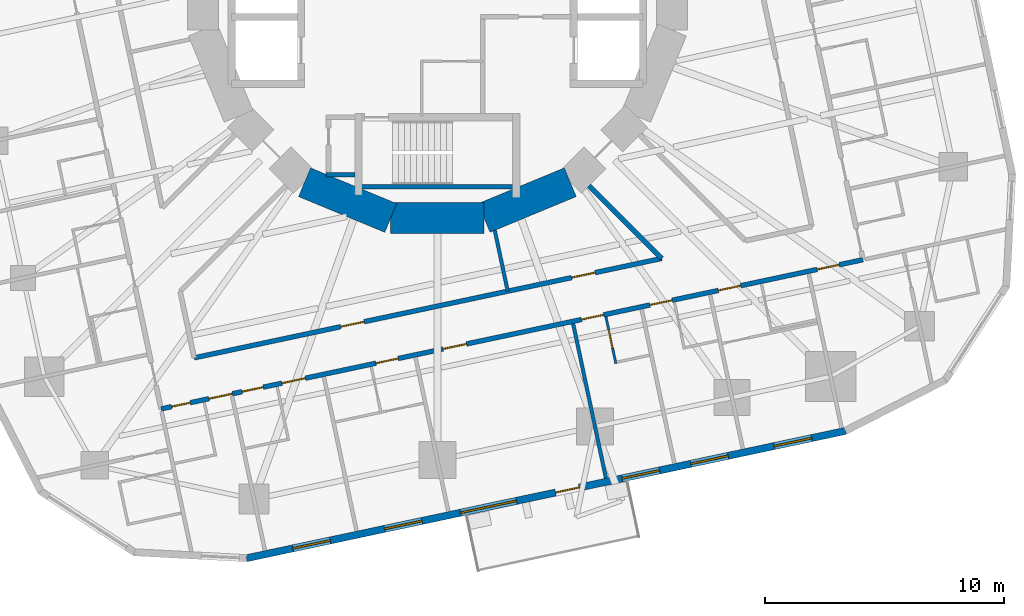
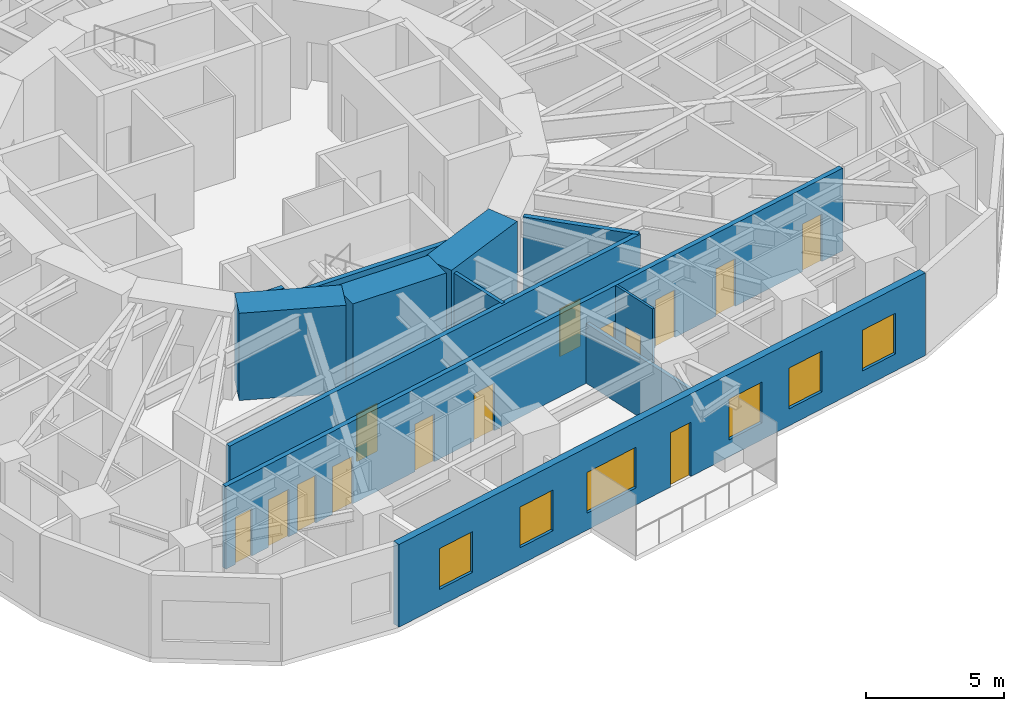
# One storey, part 5 of 14: 14 doors, 12 walls, 6 windows, 20 openings.
"""IFC4 building model written with IfcOpenShell, lengths in metres."""

import ifcopenshell
import ifcopenshell.guid

model = None  # the IFC model being written
_history = None  # IfcOwnerHistory: only IFC2X3 demands one
_inside = {}  # id of a spatial element -> (the spatial element, [elements in it])
_under = {}  # id of a project, library or spatial element -> (it, [spatial elements below it])
_declared = {}  # id of a project -> (the project, [libraries it declares])
_typed = {}  # id of a type object -> (the type object, [elements of that type])
_made_of = {}  # id of a material, layer set ... -> (it, [elements and type objects made of it])


def new_model(schema):
    """Start an empty IFC model of exactly this schema.

    Asked for "IFC4X3", IfcOpenShell would pick the latest addendum, in which some entities
    have other attributes; the version numbers below select the first issue.
    IFC2X3 requires an IfcOwnerHistory on every rooted entity: one is made here for all.
    """
    global model, _history
    if schema == "IFC4X3":
        model = ifcopenshell.file(schema_version=(4, 3, 0, 0))
    else:
        model = ifcopenshell.file(schema=schema)
    _inside.clear()
    _under.clear()
    _declared.clear()
    _typed.clear()
    _made_of.clear()
    _history = None
    if model.schema == "IFC2X3":
        org = make("IfcOrganization", Name="unknown")
        user = make(
            "IfcPersonAndOrganization",
            ThePerson=make("IfcPerson", FamilyName="unknown"),
            TheOrganization=org,
        )
        app = make(
            "IfcApplication",
            ApplicationDeveloper=org,
            Version="unknown",
            ApplicationFullName="unknown",
            ApplicationIdentifier="unknown",
        )
        _history = make(
            "IfcOwnerHistory",
            OwningUser=user,
            OwningApplication=app,
            ChangeAction="ADDED",
            CreationDate=0,
        )
    return model


def make(cls, **values):
    """One entity of the class cls with the attributes given. An attribute that is None is left unset."""
    return model.create_entity(
        cls, **{name: value for name, value in values.items() if value is not None}
    )


def rooted(cls, **values):
    """An entity with a GlobalId (a new one), such as an element, a storey or a relation."""
    return make(cls, GlobalId=ifcopenshell.guid.new(), OwnerHistory=_history, **values)


def si_unit(unit_type, name, prefix=None):
    """IfcSIUnit, for example si_unit("LENGTHUNIT", "METRE", prefix="MILLI")."""
    return make("IfcSIUnit", UnitType=unit_type, Prefix=prefix, Name=name)


def assignment(units):
    """IfcUnitAssignment: the units of a project."""
    return None if units is None else make("IfcUnitAssignment", Units=units)


def point(xyz):
    """IfcCartesianPoint."""
    return None if xyz is None else make("IfcCartesianPoint", Coordinates=xyz)


def direction(xyz):
    """IfcDirection."""
    return None if xyz is None else make("IfcDirection", DirectionRatios=xyz)


def frame(location, z_axis=None, x_axis=None):
    """IfcAxis2Placement3D, a coordinate frame: its origin and axes. An axis left out is left unset."""
    return make(
        "IfcAxis2Placement3D",
        Location=point(location),
        Axis=direction(z_axis),
        RefDirection=direction(x_axis),
    )


def frame_2d(location, x_axis=None):
    """IfcAxis2Placement2D, a coordinate frame in the plane: its origin and x axis."""
    return make(
        "IfcAxis2Placement2D", Location=point(location), RefDirection=direction(x_axis)
    )


def origin():
    """The frame at (0, 0, 0) with its axes left unset."""
    return frame((0.0, 0.0, 0.0))


def place(relative_to, where):
    """IfcLocalPlacement: puts the frame where relative to a parent placement (None: the world)."""
    return make(
        "IfcLocalPlacement", PlacementRelTo=relative_to, RelativePlacement=where
    )


def context(
    kind, dimensions, precision=None, world=None, true_north=None, identifier=None
):
    """IfcGeometricRepresentationContext, for example the 3D "Model" context."""
    return make(
        "IfcGeometricRepresentationContext",
        ContextIdentifier=identifier,
        ContextType=kind,
        CoordinateSpaceDimension=dimensions,
        Precision=precision,
        WorldCoordinateSystem=world,
        TrueNorth=true_north,
    )


def subcontext(parent, identifier, kind, view, scale=None):
    """IfcGeometricRepresentationSubContext, for example "Body" below "Model"."""
    return make(
        "IfcGeometricRepresentationSubContext",
        ContextIdentifier=identifier,
        ContextType=kind,
        ParentContext=parent,
        TargetScale=scale,
        TargetView=view,
    )


def project(units=None, contexts=None):
    """IfcProject with its units and contexts."""
    return rooted(
        "IfcProject",
        Name="project",
        RepresentationContexts=contexts,
        UnitsInContext=assignment(units),
    )


def spatial(cls, under=None, at=None, **own):
    """A site, building, storey or space (cls), placed at a placement, below another one or the project."""
    s = rooted(cls, ObjectPlacement=at, **own)
    if under is not None:
        _under.setdefault(under.id(), (under, []))[1].append(s)
    return s


def profile(cls, at=None, kind="AREA", **sizes):
    """A parametric profile (cls). Its sizes go by their IFC names, for example OverallWidth=200.0."""
    return make(cls, ProfileType=kind, Position=at, **sizes)


def rectangle(**sizes):
    """IfcRectangleProfileDef."""
    return profile("IfcRectangleProfileDef", **sizes)


def extrude(swept, where, along, depth):
    """IfcExtrudedAreaSolid: the profile swept, set in the frame where, extruded along a direction by depth."""
    return make(
        "IfcExtrudedAreaSolid",
        SweptArea=swept,
        Position=where,
        ExtrudedDirection=direction(along),
        Depth=depth,
    )


def shape(context_of_items, identifier, shape_type, items):
    """IfcShapeRepresentation: the items that make up one representation, for example the "Body"."""
    return make(
        "IfcShapeRepresentation",
        ContextOfItems=context_of_items,
        RepresentationIdentifier=identifier,
        RepresentationType=shape_type,
        Items=items,
    )


def material(Name=None, Category=None):
    """IfcMaterial."""
    return make("IfcMaterial", Name=Name, Category=Category)


def layer(
    of_material, thickness, ventilated=None, Name=None, Category=None, Priority=None
):
    """IfcMaterialLayer: one layer of a wall or slab, of a material (None: an air gap)."""
    return make(
        "IfcMaterialLayer",
        Material=of_material,
        LayerThickness=thickness,
        IsVentilated=ventilated,
        Name=Name,
        Category=Category,
        Priority=Priority,
    )


def layer_set(layers, Name=None):
    """IfcMaterialLayerSet."""
    return make("IfcMaterialLayerSet", MaterialLayers=layers, LayerSetName=Name)


def made_of(thing, what):
    """Note that an element or type object is made of a material, layer set ...; save() writes the relation."""
    if what is not None:
        _made_of.setdefault(what.id(), (what, []))[1].append(thing)
    return thing


def type_object(cls, material=None, **own):
    """A type object (cls), such as IfcWallType, which elements share."""
    return made_of(rooted(cls, **own), material)


def element(
    cls,
    number,
    at=None,
    inside=None,
    cuts=None,
    type_object=None,
    material=None,
    context=None,
    identifier="Body",
    shape_type=None,
    held_by="IfcProductDefinitionShape",
    body=None,
    shapes=None,
    **own,
):
    """One element of the class cls, such as IfcWall. Its Tag is "e" and its number.

    at: its placement. inside: the storey or other place that contains it. cuts: it is an
    opening in that element (IfcRelVoidsElement). A single representation is given by context,
    identifier, shape_type and body (its items); several are given by shapes. held_by: the class
    of the entity that holds the representations. save() writes the other relations.
    """
    e = rooted(cls, Tag="e%d" % number, ObjectPlacement=at, **own)
    if body is not None:
        shapes = [shape(context, identifier, shape_type, body)]
    if shapes is not None:
        e.Representation = make(held_by, Representations=shapes)
    if inside is not None:
        _inside.setdefault(inside.id(), (inside, []))[1].append(e)
    if cuts is not None:
        rooted(
            "IfcRelVoidsElement", RelatingBuildingElement=cuts, RelatedOpeningElement=e
        )
    if type_object is not None:
        _typed.setdefault(type_object.id(), (type_object, []))[1].append(e)
    return made_of(e, material)


def fill(opening, filler):
    """IfcRelFillsElement: the door or window that sits in an opening."""
    return rooted(
        "IfcRelFillsElement",
        RelatingOpeningElement=opening,
        RelatedBuildingElement=filler,
    )


def aggregate(whole, parts):
    """IfcRelAggregates: a whole, such as a stair, and the parts it consists of."""
    return rooted("IfcRelAggregates", RelatingObject=whole, RelatedObjects=parts)


def save(model, path):
    """Write the relations noted so far, then the file.

    IfcRelAggregates (storeys below a building ...), IfcRelContainedInSpatialStructure (elements
    in a storey), IfcRelDefinesByType, IfcRelAssociatesMaterial and IfcRelDeclares: one each for
    every whole, place, type object, material and project.
    """
    for whole, parts in _under.values():
        aggregate(whole, parts)
    for where, things in _inside.values():
        rooted(
            "IfcRelContainedInSpatialStructure",
            RelatedElements=things,
            RelatingStructure=where,
        )
    for kind, things in _typed.values():
        rooted("IfcRelDefinesByType", RelatedObjects=things, RelatingType=kind)
    for what, things in _made_of.values():
        rooted("IfcRelAssociatesMaterial", RelatedObjects=things, RelatingMaterial=what)
    for by, libraries in _declared.values():
        rooted("IfcRelDeclares", RelatingContext=by, RelatedDefinitions=libraries)
    model.write(path)


model = new_model("IFC4")

# Units and contexts
model_context = context("Model", 3, precision=1e-05, world=origin(), true_north=direction((0.0, 1.0)))
body_context = subcontext(model_context, "Body", "Model", "MODEL_VIEW")
ifc_project = project(units=[si_unit("LENGTHUNIT", "METRE"), si_unit("AREAUNIT", "SQUARE_METRE"), si_unit("VOLUMEUNIT", "CUBIC_METRE"), si_unit("PLANEANGLEUNIT", "RADIAN"), si_unit("MASSUNIT", "GRAM", prefix="KILO")], contexts=[model_context])

# Site, building, storey
site_placement = place(None, origin())
site = spatial("IfcSite", under=ifc_project, at=site_placement, CompositionType="ELEMENT")
building_placement = place(site_placement, origin())
building = spatial("IfcBuilding", under=site, at=building_placement, Name="Nakasero Lantern House", CompositionType="ELEMENT")
storey_placement = place(building_placement, frame((0.0, 0.0, 124.25)))
storey = spatial("IfcBuildingStorey", under=building, at=storey_placement, Name="L30", CompositionType="ELEMENT", Elevation=124.25)

# Walls
ifc_material_1 = material(Name="Concrete C50/60", Category="concrete")
ifc_layer_1 = layer(ifc_material_1, 1.300048828125)
ifc_layer_set_1 = layer_set([ifc_layer_1], Name="Core wall 1300")
wall_type_1 = type_object("IfcWallType", Name="Core wall 1300", PredefinedType="SHEAR", material=ifc_layer_set_1)
for number, where, z_axis, x_axis, name in (
    (1, (-5.5556640625, -8.314697265625, 0.0), (0.0, 0.0, 1.0), (0.923876507187, -0.382690736062, 0.0), "Core wall L30 facet 11"),
    (2, (-1.950927734375, -9.807861328125, 0.0), (0.0, 0.0, 1.0), (1.0, 0.0, 0.0), "Core wall L30 facet 12"),
    (3, (1.950927734375, -9.807861328125, 0.0), (0.0, 0.0, 1.0), (0.923876507187, 0.382690736062, 0.0), "Core wall L30 facet 13"),
):
    element("IfcWall", number, at=place(storey_placement, frame(where, z_axis=z_axis, x_axis=x_axis)), inside=storey, type_object=wall_type_1, Name=name, PredefinedType="SHEAR", context=body_context, shape_type="SweptSolid", body=[
        extrude(rectangle(XDim=3.90185546875, YDim=1.300048828125, at=frame_2d((1.950927734375, 0.0))), origin(), (0.0, 0.0, 1.0), 3.85009765625),
    ])

# Wall, openings, doors
ifc_material_2 = material(Name="Blockwork", Category="masonry")
ifc_layer_2 = layer(ifc_material_2, 0.199951171875)
ifc_layer_set_2 = layer_set([ifc_layer_2], Name="Corridor wall 200")
wall_type_2 = type_object("IfcWallType", Name="Corridor wall 200", PredefinedType="PARTITIONING", material=ifc_layer_set_2)
wall_1_placement = place(storey_placement, frame((-11.553466796875, -17.790771484375, 0.0), z_axis=(0.0, 0.0, 1.0), x_axis=(0.978147639417, 0.207911508826, 0.0)))
wall_1 = element("IfcWall", 4, at=wall_1_placement, inside=storey, type_object=wall_type_2, Name="Corridor wall L30 CW3", PredefinedType="PARTITIONING", context=body_context, shape_type="SweptSolid", body=[
    extrude(rectangle(XDim=29.999755859375, YDim=0.199951171875, at=frame_2d((15.0, 0.0))), origin(), (0.0, 0.0, 1.0), 3.64990234375),
])
opening_1_placement = place(wall_1_placement, frame((0.449951171875, 0.0, 0.0)))
opening_1 = element("IfcOpeningElement", 5, at=opening_1_placement, cuts=wall_1, Name="Opening D15", PredefinedType="OPENING", context=body_context, shape_type="SweptSolid", body=[
    extrude(rectangle(XDim=0.800048828125, YDim=2.10009765625, at=frame_2d((0.39990234375, 1.050048828125))), frame((0.0, 0.119873046875, 0.0), z_axis=(0.0, -1.0, 0.0), x_axis=(1.0, 0.0, 0.0)), (0.0, 0.0, 1.0), 0.239990234375),
])
opening_2_placement = place(wall_1_placement, frame((2.050048828125, 0.0, 0.0)))
opening_2 = element("IfcOpeningElement", 6, at=opening_2_placement, cuts=wall_1, Name="Opening D07", PredefinedType="OPENING", context=body_context, shape_type="SweptSolid", body=[
    extrude(rectangle(XDim=1.0, YDim=2.10009765625, at=frame_2d((0.5, 1.050048828125))), frame((0.0, 0.119873046875, 0.0), z_axis=(0.0, -1.0, 0.0), x_axis=(1.0, 0.0, 0.0)), (0.0, 0.0, 1.0), 0.239990234375),
])
opening_3_placement = place(wall_1_placement, frame((3.466064453125, 0.0, 0.0)))
opening_3 = element("IfcOpeningElement", 7, at=opening_3_placement, cuts=wall_1, Name="Opening D16", PredefinedType="OPENING", context=body_context, shape_type="SweptSolid", body=[
    extrude(rectangle(XDim=0.89990234375, YDim=2.10009765625, at=frame_2d((0.449951171875, 1.050048828125))), frame((0.0, 0.119873046875, 0.0), z_axis=(0.0, -1.0, 0.0), x_axis=(1.0, 0.0, 0.0)), (0.0, 0.0, 1.0), 0.239990234375),
])
opening_4_placement = place(wall_1_placement, frame((5.166015625, 0.0, 0.0)))
opening_4 = element("IfcOpeningElement", 8, at=opening_4_placement, cuts=wall_1, Name="Opening D07", PredefinedType="OPENING", context=body_context, shape_type="SweptSolid", body=[
    extrude(rectangle(XDim=1.0, YDim=2.10009765625, at=frame_2d((0.5, 1.050048828125))), frame((0.0, 0.119873046875, 0.0), z_axis=(0.0, -1.0, 0.0), x_axis=(1.0, 0.0, 0.0)), (0.0, 0.0, 1.0), 0.239990234375),
])
opening_5_placement = place(wall_1_placement, frame((9.185546875, 0.0, 0.0)))
opening_5 = element("IfcOpeningElement", 9, at=opening_5_placement, cuts=wall_1, Name="Opening D01", PredefinedType="OPENING", context=body_context, shape_type="SweptSolid", body=[
    extrude(rectangle(XDim=0.949951171875, YDim=2.10009765625, at=frame_2d((0.47509765625, 1.050048828125))), frame((0.0, 0.119873046875, 0.0), z_axis=(0.0, -1.0, 0.0), x_axis=(1.0, 0.0, 0.0)), (0.0, 0.0, 1.0), 0.239990234375),
])
opening_6_placement = place(wall_1_placement, frame((17.967529296875, 0.0, 0.0)))
opening_6 = element("IfcOpeningElement", 10, at=opening_6_placement, cuts=wall_1, Name="Opening D01", PredefinedType="OPENING", context=body_context, shape_type="SweptSolid", body=[
    extrude(rectangle(XDim=0.949951171875, YDim=2.10009765625, at=frame_2d((0.47509765625, 1.050048828125))), frame((0.0, 0.119873046875, 0.0), z_axis=(0.0, -1.0, 0.0), x_axis=(1.0, 0.0, 0.0)), (0.0, 0.0, 1.0), 0.239990234375),
])
opening_7_placement = place(wall_1_placement, frame((20.89404296875, 0.0, 0.0)))
opening_7 = element("IfcOpeningElement", 11, at=opening_7_placement, cuts=wall_1, Name="Opening D01", PredefinedType="OPENING", context=body_context, shape_type="SweptSolid", body=[
    extrude(rectangle(XDim=0.949951171875, YDim=2.10009765625, at=frame_2d((0.47509765625, 1.050048828125))), frame((0.0, 0.119873046875, 0.0), z_axis=(0.0, -1.0, 0.0), x_axis=(1.0, 0.0, 0.0)), (0.0, 0.0, 1.0), 0.239990234375),
])
opening_8_placement = place(wall_1_placement, frame((23.8203125, 0.0, 0.0)))
opening_8 = element("IfcOpeningElement", 12, at=opening_8_placement, cuts=wall_1, Name="Opening D01", PredefinedType="OPENING", context=body_context, shape_type="SweptSolid", body=[
    extrude(rectangle(XDim=0.949951171875, YDim=2.10009765625, at=frame_2d((0.47509765625, 1.050048828125))), frame((0.0, 0.119873046875, 0.0), z_axis=(0.0, -1.0, 0.0), x_axis=(1.0, 0.0, 0.0)), (0.0, 0.0, 1.0), 0.239990234375),
])
opening_9_placement = place(wall_1_placement, frame((28.038330078125, 0.0, 0.0)))
opening_9 = element("IfcOpeningElement", 13, at=opening_9_placement, cuts=wall_1, Name="Opening D01", PredefinedType="OPENING", context=body_context, shape_type="SweptSolid", body=[
    extrude(rectangle(XDim=0.949951171875, YDim=2.10009765625, at=frame_2d((0.47509765625, 1.050048828125))), frame((0.0, 0.119873046875, 0.0), z_axis=(0.0, -1.0, 0.0), x_axis=(1.0, 0.0, 0.0)), (0.0, 0.0, 1.0), 0.239990234375),
])
opening_10_placement = place(wall_1_placement, frame((12.05517578125, 0.0, 0.0)))
opening_10 = element("IfcOpeningElement", 14, at=opening_10_placement, cuts=wall_1, Name="Opening D03", PredefinedType="OPENING", context=body_context, shape_type="SweptSolid", body=[
    extrude(rectangle(XDim=1.0, YDim=2.10009765625, at=frame_2d((0.5, 1.050048828125))), frame((0.0, 0.119873046875, 0.0), z_axis=(0.0, -1.0, 0.0), x_axis=(1.0, 0.0, 0.0)), (0.0, 0.0, 1.0), 0.239990234375),
])
ifc_material_3 = material(Name="Timber C24", Category="wood")
door_type_1 = type_object("IfcDoorType", Name="Accessible WC door 900", OperationType="SINGLE_SWING_RIGHT", PredefinedType="DOOR", material=ifc_material_3)
door_1_placement = place(opening_3_placement, origin())
door_1 = element("IfcDoor", 15, at=door_1_placement, inside=storey, type_object=door_type_1, Name="Door L30 DS3-01", OperationType="SINGLE_SWING_LEFT", OverallHeight=2.10009765625, OverallWidth=0.89990234375, PredefinedType="DOOR", context=body_context, shape_type="SweptSolid", body=[
    extrude(rectangle(XDim=0.89990234375, YDim=2.10009765625, at=frame_2d((0.449951171875, 1.050048828125))), frame((0.0, 0.02490234375, 0.0), z_axis=(0.0, -1.0, 0.0), x_axis=(1.0, 0.0, 0.0)), (0.0, 0.0, 1.0), 0.050048828125),
])
fill(opening_3, door_1)
ifc_material_4 = material(Name="Timber C24", Category="wood")
door_type_2 = type_object("IfcDoorType", Name="Bedroom door FD30S 950", OperationType="SINGLE_SWING_LEFT", PredefinedType="DOOR", material=ifc_material_4)
door_2_placement = place(opening_5_placement, origin())
door_2 = element("IfcDoor", 16, at=door_2_placement, inside=storey, type_object=door_type_2, Name="Door L30 D3-02", OperationType="SINGLE_SWING_LEFT", OverallHeight=2.10009765625, OverallWidth=0.949951171875, PredefinedType="DOOR", context=body_context, shape_type="SweptSolid", body=[
    extrude(rectangle(XDim=0.949951171875, YDim=2.10009765625, at=frame_2d((0.47509765625, 1.050048828125))), frame((0.0, 0.02490234375, 0.0), z_axis=(0.0, -1.0, 0.0), x_axis=(1.0, 0.0, 0.0)), (0.0, 0.0, 1.0), 0.050048828125),
])
fill(opening_5, door_2)
door_3_placement = place(opening_6_placement, origin())
door_3 = element("IfcDoor", 17, at=door_3_placement, inside=storey, type_object=door_type_2, Name="Door L30 D3-05", OperationType="SINGLE_SWING_RIGHT", OverallHeight=2.10009765625, OverallWidth=0.949951171875, PredefinedType="DOOR", context=body_context, shape_type="SweptSolid", body=[
    extrude(rectangle(XDim=0.949951171875, YDim=2.10009765625, at=frame_2d((0.47509765625, 1.050048828125))), frame((0.0, 0.02490234375, 0.0), z_axis=(0.0, -1.0, 0.0), x_axis=(1.0, 0.0, 0.0)), (0.0, 0.0, 1.0), 0.050048828125),
])
fill(opening_6, door_3)
door_4_placement = place(opening_7_placement, origin())
door_4 = element("IfcDoor", 18, at=door_4_placement, inside=storey, type_object=door_type_2, Name="Door L30 D3-06", OperationType="SINGLE_SWING_RIGHT", OverallHeight=2.10009765625, OverallWidth=0.949951171875, PredefinedType="DOOR", context=body_context, shape_type="SweptSolid", body=[
    extrude(rectangle(XDim=0.949951171875, YDim=2.10009765625, at=frame_2d((0.47509765625, 1.050048828125))), frame((0.0, 0.02490234375, 0.0), z_axis=(0.0, -1.0, 0.0), x_axis=(1.0, 0.0, 0.0)), (0.0, 0.0, 1.0), 0.050048828125),
])
fill(opening_7, door_4)
door_5_placement = place(opening_8_placement, origin())
door_5 = element("IfcDoor", 19, at=door_5_placement, inside=storey, type_object=door_type_2, Name="Door L30 D3-07", OperationType="SINGLE_SWING_RIGHT", OverallHeight=2.10009765625, OverallWidth=0.949951171875, PredefinedType="DOOR", context=body_context, shape_type="SweptSolid", body=[
    extrude(rectangle(XDim=0.949951171875, YDim=2.10009765625, at=frame_2d((0.47509765625, 1.050048828125))), frame((0.0, 0.02490234375, 0.0), z_axis=(0.0, -1.0, 0.0), x_axis=(1.0, 0.0, 0.0)), (0.0, 0.0, 1.0), 0.050048828125),
])
fill(opening_8, door_5)
door_6_placement = place(opening_9_placement, origin())
door_6 = element("IfcDoor", 20, at=door_6_placement, inside=storey, type_object=door_type_2, Name="Door L30 D3-08", OperationType="SINGLE_SWING_RIGHT", OverallHeight=2.10009765625, OverallWidth=0.949951171875, PredefinedType="DOOR", context=body_context, shape_type="SweptSolid", body=[
    extrude(rectangle(XDim=0.949951171875, YDim=2.10009765625, at=frame_2d((0.47509765625, 1.050048828125))), frame((0.0, 0.02490234375, 0.0), z_axis=(0.0, -1.0, 0.0), x_axis=(1.0, 0.0, 0.0)), (0.0, 0.0, 1.0), 0.050048828125),
])
fill(opening_9, door_6)
ifc_material_5 = material(Name="Timber C24", Category="wood")
door_type_3 = type_object("IfcDoorType", Name="Cleaner's store door FD30S 800", OperationType="SINGLE_SWING_LEFT", PredefinedType="DOOR", material=ifc_material_5)
door_7_placement = place(opening_1_placement, origin())
door_7 = element("IfcDoor", 21, at=door_7_placement, inside=storey, type_object=door_type_3, Name="Door L30 DS3-00", OperationType="SINGLE_SWING_LEFT", OverallHeight=2.10009765625, OverallWidth=0.800048828125, PredefinedType="DOOR", context=body_context, shape_type="SweptSolid", body=[
    extrude(rectangle(XDim=0.800048828125, YDim=2.10009765625, at=frame_2d((0.39990234375, 1.050048828125))), frame((0.0, 0.02490234375, 0.0), z_axis=(0.0, -1.0, 0.0), x_axis=(1.0, 0.0, 0.0)), (0.0, 0.0, 1.0), 0.050048828125),
])
fill(opening_1, door_7)
ifc_material_6 = material(Name="Timber C24", Category="wood")
door_type_4 = type_object("IfcDoorType", Name="Lounge door FD30S 1000", OperationType="SINGLE_SWING_LEFT", PredefinedType="DOOR", material=ifc_material_6)
door_8_placement = place(opening_10_placement, origin())
door_8 = element("IfcDoor", 22, at=door_8_placement, inside=storey, type_object=door_type_4, Name="Door L30 DK3", OperationType="SINGLE_SWING_LEFT", OverallHeight=2.10009765625, OverallWidth=1.0, PredefinedType="DOOR", context=body_context, shape_type="SweptSolid", body=[
    extrude(rectangle(XDim=1.0, YDim=2.10009765625, at=frame_2d((0.5, 1.050048828125))), frame((0.0, 0.02490234375, 0.0), z_axis=(0.0, -1.0, 0.0), x_axis=(1.0, 0.0, 0.0)), (0.0, 0.0, 1.0), 0.050048828125),
])
fill(opening_10, door_8)
ifc_material_7 = material(Name="Timber C24", Category="wood")
door_type_5 = type_object("IfcDoorType", Name="Room door FD30S 1000", OperationType="SINGLE_SWING_LEFT", PredefinedType="DOOR", material=ifc_material_7)
door_9_placement = place(opening_2_placement, origin())
door_9 = element("IfcDoor", 23, at=door_9_placement, inside=storey, type_object=door_type_5, Name="Door L30 D3-00", OperationType="SINGLE_SWING_LEFT", OverallHeight=2.10009765625, OverallWidth=1.0, PredefinedType="DOOR", context=body_context, shape_type="SweptSolid", body=[
    extrude(rectangle(XDim=1.0, YDim=2.10009765625, at=frame_2d((0.5, 1.050048828125))), frame((0.0, 0.02490234375, 0.0), z_axis=(0.0, -1.0, 0.0), x_axis=(1.0, 0.0, 0.0)), (0.0, 0.0, 1.0), 0.050048828125),
])
fill(opening_2, door_9)
door_10_placement = place(opening_4_placement, origin())
door_10 = element("IfcDoor", 24, at=door_10_placement, inside=storey, type_object=door_type_5, Name="Door L30 D3-01", OperationType="SINGLE_SWING_LEFT", OverallHeight=2.10009765625, OverallWidth=1.0, PredefinedType="DOOR", context=body_context, shape_type="SweptSolid", body=[
    extrude(rectangle(XDim=1.0, YDim=2.10009765625, at=frame_2d((0.5, 1.050048828125))), frame((0.0, 0.02490234375, 0.0), z_axis=(0.0, -1.0, 0.0), x_axis=(1.0, 0.0, 0.0)), (0.0, 0.0, 1.0), 0.050048828125),
])
fill(opening_4, door_10)

wall_2_placement = place(storey_placement, frame((-10.1669921875, -15.656005859375, 0.0), z_axis=(0.0, 0.0, 1.0), x_axis=(0.978147920132, 0.20791018816, 0.0)))
wall_2 = element("IfcWall", 25, at=wall_2_placement, inside=storey, type_object=wall_type_2, Name="Corridor wall L30 IW3-0", PredefinedType="PARTITIONING", context=body_context, shape_type="SweptSolid", body=[
    extrude(rectangle(XDim=19.983642578125, YDim=0.199951171875, at=frame_2d((9.99169921875, 0.0))), origin(), (0.0, 0.0, 1.0), 3.64990234375),
])
opening_11_placement = place(wall_2_placement, frame((6.262451171875, 0.0, 0.0)))
opening_11 = element("IfcOpeningElement", 26, at=opening_11_placement, cuts=wall_2, Name="Opening D07", PredefinedType="OPENING", context=body_context, shape_type="SweptSolid", body=[
    extrude(rectangle(XDim=1.0, YDim=2.10009765625, at=frame_2d((0.5, 1.050048828125))), frame((0.0, 0.119873046875, 0.0), z_axis=(0.0, -1.0, 0.0), x_axis=(1.0, 0.0, 0.0)), (0.0, 0.0, 1.0), 0.239990234375),
])
opening_12_placement = place(wall_2_placement, frame((16.12939453125, 0.0, 0.0)))
opening_12 = element("IfcOpeningElement", 27, at=opening_12_placement, cuts=wall_2, Name="Opening D07", PredefinedType="OPENING", context=body_context, shape_type="SweptSolid", body=[
    extrude(rectangle(XDim=1.0, YDim=2.10009765625, at=frame_2d((0.5, 1.050048828125))), frame((0.0, 0.119873046875, 0.0), z_axis=(0.0, -1.0, 0.0), x_axis=(1.0, 0.0, 0.0)), (0.0, 0.0, 1.0), 0.239990234375),
])
door_11_placement = place(opening_11_placement, origin())
door_11 = element("IfcDoor", 28, at=door_11_placement, inside=storey, type_object=door_type_5, Name="Door L30 DI1", OperationType="SINGLE_SWING_LEFT", OverallHeight=2.10009765625, OverallWidth=1.0, PredefinedType="DOOR", context=body_context, shape_type="SweptSolid", body=[
    extrude(rectangle(XDim=1.0, YDim=2.10009765625, at=frame_2d((0.5, 1.050048828125))), frame((0.0, 0.02490234375, 0.0), z_axis=(0.0, -1.0, 0.0), x_axis=(1.0, 0.0, 0.0)), (0.0, 0.0, 1.0), 0.050048828125),
])
fill(opening_11, door_11)
door_12_placement = place(opening_12_placement, origin())
door_12 = element("IfcDoor", 29, at=door_12_placement, inside=storey, type_object=door_type_5, Name="Door L30 DI2", OperationType="SINGLE_SWING_RIGHT", OverallHeight=2.10009765625, OverallWidth=1.0, PredefinedType="DOOR", context=body_context, shape_type="SweptSolid", body=[
    extrude(rectangle(XDim=1.0, YDim=2.10009765625, at=frame_2d((0.5, 1.050048828125))), frame((0.0, 0.02490234375, 0.0), z_axis=(0.0, -1.0, 0.0), x_axis=(1.0, 0.0, 0.0)), (0.0, 0.0, 1.0), 0.050048828125),
])
fill(opening_12, door_12)

# Wall
wall_3_placement = place(storey_placement, frame((6.334228515625, -8.45556640625, 0.0), z_axis=(0.0, 0.0, 1.0), x_axis=(0.707106781187, -0.707106781187, 0.0)))
element("IfcWall", 30, at=wall_3_placement, inside=storey, type_object=wall_type_2, Name="Corridor wall L30 PS14b", PredefinedType="PARTITIONING", context=body_context, shape_type="SweptSolid", body=[
    extrude(rectangle(XDim=4.30712890625, YDim=0.199951171875, at=frame_2d((2.153564453125, 0.0))), origin(), (0.0, 0.0, 1.0), 3.64990234375),
])

# Wall, opening, door
ifc_material_8 = material(Name="Blockwork", Category="masonry")
ifc_layer_3 = layer(ifc_material_8, 0.10009765625)
ifc_layer_set_3 = layer_set([ifc_layer_3], Name="En-suite wall 100")
wall_type_3 = type_object("IfcWallType", Name="En-suite wall 100", PredefinedType="PARTITIONING", material=ifc_layer_set_3)
wall_4_placement = place(storey_placement, frame((7.046142578125, -13.939697265625, 0.0), z_axis=(0.0, 0.0, 1.0), x_axis=(0.207886494942, -0.978152955943, 0.0)))
wall_4 = element("IfcWall", 31, at=wall_4_placement, inside=storey, type_object=wall_type_3, Name="En-suite wall L30 ES3-05", PredefinedType="PARTITIONING", context=body_context, shape_type="SweptSolid", body=[
    extrude(rectangle(XDim=2.0, YDim=0.10009765625, at=frame_2d((1.0, 0.0))), origin(), (0.0, 0.0, 1.0), 3.64990234375),
])
opening_13_placement = place(wall_4_placement, frame((0.550048828125, 0.0, 0.0)))
opening_13 = element("IfcOpeningElement", 32, at=opening_13_placement, cuts=wall_4, Name="Opening D02", PredefinedType="OPENING", context=body_context, shape_type="SweptSolid", body=[
    extrude(rectangle(XDim=0.800048828125, YDim=2.10009765625, at=frame_2d((0.39990234375, 1.050048828125))), frame((0.0, 0.070068359375, 0.0), z_axis=(0.0, -1.0, 0.0), x_axis=(1.0, 0.0, 0.0)), (0.0, 0.0, 1.0), 0.14013671875),
])
ifc_material_9 = material(Name="Timber C24", Category="wood")
door_type_6 = type_object("IfcDoorType", Name="En-suite door 800", OperationType="SINGLE_SWING_RIGHT", PredefinedType="DOOR", material=ifc_material_9)
door_13_placement = place(opening_13_placement, origin())
door_13 = element("IfcDoor", 33, at=door_13_placement, inside=storey, type_object=door_type_6, Name="Door L30 DE3-05", OperationType="SINGLE_SWING_LEFT", OverallHeight=2.10009765625, OverallWidth=0.800048828125, PredefinedType="DOOR", context=body_context, shape_type="SweptSolid", body=[
    extrude(rectangle(XDim=0.800048828125, YDim=2.10009765625, at=frame_2d((0.39990234375, 1.050048828125))), frame((0.0, 0.02490234375, 0.0), z_axis=(0.0, -1.0, 0.0), x_axis=(1.0, 0.0, 0.0)), (0.0, 0.0, 1.0), 0.050048828125),
])
fill(opening_13, door_13)

# Wall, openings, door, windows
ifc_material_10 = material(Name="Aluminium rainscreen on blockwork", Category="masonry")
ifc_layer_4 = layer(ifc_material_10, 0.300048828125)
ifc_layer_set_4 = layer_set([ifc_layer_4], Name="Facade wall 300")
wall_type_4 = type_object("IfcWallType", Name="Facade wall 300", PredefinedType="SOLIDWALL", material=ifc_layer_set_4)
wall_5_placement = place(storey_placement, frame((-7.9775390625, -24.03369140625, 0.0), z_axis=(0.0, 0.0, 1.0), x_axis=(0.978148160964, 0.207909055127, 0.0)))
wall_5 = element("IfcWall", 34, at=wall_5_placement, inside=storey, type_object=wall_type_4, Name="Facade wall L30 FW3S", PredefinedType="SOLIDWALL", context=body_context, shape_type="SweptSolid", body=[
    extrude(rectangle(XDim=25.60009765625, YDim=0.300048828125, at=frame_2d((12.800048828125, 0.0))), origin(), (0.0, 0.0, 1.0), 3.64990234375),
])
opening_14_placement = place(wall_5_placement, frame((1.975830078125, 0.0, 0.75)))
opening_14 = element("IfcOpeningElement", 35, at=opening_14_placement, cuts=wall_5, Name="Opening W01", PredefinedType="OPENING", context=body_context, shape_type="SweptSolid", body=[
    extrude(rectangle(XDim=1.60009765625, YDim=1.800048828125, at=frame_2d((0.800048828125, 0.89990234375))), frame((0.0, 0.169921875, 0.0), z_axis=(0.0, -1.0, 0.0), x_axis=(1.0, 0.0, 0.0)), (0.0, 0.0, 1.0), 0.340087890625),
])
opening_15_placement = place(wall_5_placement, frame((5.8955078125, 0.0, 0.75)))
opening_15 = element("IfcOpeningElement", 36, at=opening_15_placement, cuts=wall_5, Name="Opening W01", PredefinedType="OPENING", context=body_context, shape_type="SweptSolid", body=[
    extrude(rectangle(XDim=1.60009765625, YDim=1.800048828125, at=frame_2d((0.800048828125, 0.89990234375))), frame((0.0, 0.169921875, 0.0), z_axis=(0.0, -1.0, 0.0), x_axis=(1.0, 0.0, 0.0)), (0.0, 0.0, 1.0), 0.340087890625),
])
opening_16_placement = place(wall_5_placement, frame((16.0556640625, 0.0, 0.75)))
opening_16 = element("IfcOpeningElement", 37, at=opening_16_placement, cuts=wall_5, Name="Opening W01", PredefinedType="OPENING", context=body_context, shape_type="SweptSolid", body=[
    extrude(rectangle(XDim=1.60009765625, YDim=1.800048828125, at=frame_2d((0.800048828125, 0.89990234375))), frame((0.0, 0.169921875, 0.0), z_axis=(0.0, -1.0, 0.0), x_axis=(1.0, 0.0, 0.0)), (0.0, 0.0, 1.0), 0.340087890625),
])
opening_17_placement = place(wall_5_placement, frame((18.982177734375, 0.0, 0.75)))
opening_17 = element("IfcOpeningElement", 38, at=opening_17_placement, cuts=wall_5, Name="Opening W01", PredefinedType="OPENING", context=body_context, shape_type="SweptSolid", body=[
    extrude(rectangle(XDim=1.60009765625, YDim=1.800048828125, at=frame_2d((0.800048828125, 0.89990234375))), frame((0.0, 0.169921875, 0.0), z_axis=(0.0, -1.0, 0.0), x_axis=(1.0, 0.0, 0.0)), (0.0, 0.0, 1.0), 0.340087890625),
])
opening_18_placement = place(wall_5_placement, frame((22.554443359375, 0.0, 0.75)))
opening_18 = element("IfcOpeningElement", 39, at=opening_18_placement, cuts=wall_5, Name="Opening W01", PredefinedType="OPENING", context=body_context, shape_type="SweptSolid", body=[
    extrude(rectangle(XDim=1.60009765625, YDim=1.800048828125, at=frame_2d((0.800048828125, 0.89990234375))), frame((0.0, 0.169921875, 0.0), z_axis=(0.0, -1.0, 0.0), x_axis=(1.0, 0.0, 0.0)), (0.0, 0.0, 1.0), 0.340087890625),
])
opening_19_placement = place(wall_5_placement, frame((9.139404296875, 0.0, 0.75)))
opening_19 = element("IfcOpeningElement", 40, at=opening_19_placement, cuts=wall_5, Name="Opening W03", PredefinedType="OPENING", context=body_context, shape_type="SweptSolid", body=[
    extrude(rectangle(XDim=2.39990234375, YDim=1.800048828125, at=frame_2d((1.199951171875, 0.89990234375))), frame((0.0, 0.169921875, 0.0), z_axis=(0.0, -1.0, 0.0), x_axis=(1.0, 0.0, 0.0)), (0.0, 0.0, 1.0), 0.340087890625),
])
opening_20_placement = place(wall_5_placement, frame((13.208251953125, 0.0, 0.0)))
opening_20 = element("IfcOpeningElement", 41, at=opening_20_placement, cuts=wall_5, Name="Opening D04", PredefinedType="OPENING", context=body_context, shape_type="SweptSolid", body=[
    extrude(rectangle(XDim=1.0, YDim=2.39990234375, at=frame_2d((0.5, 1.199951171875))), frame((0.0, 0.169921875, 0.0), z_axis=(0.0, -1.0, 0.0), x_axis=(1.0, 0.0, 0.0)), (0.0, 0.0, 1.0), 0.340087890625),
])
ifc_material_11 = material(Name="Aluminium 6063-T6 and glass", Category="aluminium")
door_type_7 = type_object("IfcDoorType", Name="Balcony door 1000x2400", OperationType="SINGLE_SWING_RIGHT", PredefinedType="DOOR", material=ifc_material_11)
door_14_placement = place(opening_20_placement, origin())
door_14 = element("IfcDoor", 42, at=door_14_placement, inside=storey, type_object=door_type_7, Name="Balcony door L30 DB3", OperationType="SINGLE_SWING_RIGHT", OverallHeight=2.39990234375, OverallWidth=1.0, PredefinedType="DOOR", context=body_context, shape_type="SweptSolid", body=[
    extrude(rectangle(XDim=1.0, YDim=2.39990234375, at=frame_2d((0.5, 1.199951171875))), frame((0.0, 0.02490234375, 0.0), z_axis=(0.0, -1.0, 0.0), x_axis=(1.0, 0.0, 0.0)), (0.0, 0.0, 1.0), 0.050048828125),
])
fill(opening_20, door_14)
ifc_material_12 = material(Name="Aluminium 6063-T6 and glass", Category="aluminium")
window_type_1 = type_object("IfcWindowType", Name="Bedroom window 1600x1800", PartitioningType="SINGLE_PANEL", PredefinedType="WINDOW", material=ifc_material_12)
window_1_placement = place(opening_14_placement, origin())
window_1 = element("IfcWindow", 43, at=window_1_placement, inside=storey, type_object=window_type_1, Name="Window L30 WN3-01", OverallHeight=1.800048828125, OverallWidth=1.60009765625, PartitioningType="SINGLE_PANEL", PredefinedType="WINDOW", context=body_context, shape_type="SweptSolid", body=[
    extrude(rectangle(XDim=1.60009765625, YDim=1.800048828125, at=frame_2d((0.800048828125, 0.89990234375))), frame((0.0, 0.030029296875, 0.0), z_axis=(0.0, -1.0, 0.0), x_axis=(1.0, 0.0, 0.0)), (0.0, 0.0, 1.0), 0.06005859375),
])
fill(opening_14, window_1)
window_2_placement = place(opening_15_placement, origin())
window_2 = element("IfcWindow", 44, at=window_2_placement, inside=storey, type_object=window_type_1, Name="Window L30 WN3-02", OverallHeight=1.800048828125, OverallWidth=1.60009765625, PartitioningType="SINGLE_PANEL", PredefinedType="WINDOW", context=body_context, shape_type="SweptSolid", body=[
    extrude(rectangle(XDim=1.60009765625, YDim=1.800048828125, at=frame_2d((0.800048828125, 0.89990234375))), frame((0.0, 0.030029296875, 0.0), z_axis=(0.0, -1.0, 0.0), x_axis=(1.0, 0.0, 0.0)), (0.0, 0.0, 1.0), 0.06005859375),
])
fill(opening_15, window_2)
window_3_placement = place(opening_16_placement, origin())
window_3 = element("IfcWindow", 45, at=window_3_placement, inside=storey, type_object=window_type_1, Name="Window L30 WN3-05", OverallHeight=1.800048828125, OverallWidth=1.60009765625, PartitioningType="SINGLE_PANEL", PredefinedType="WINDOW", context=body_context, shape_type="SweptSolid", body=[
    extrude(rectangle(XDim=1.60009765625, YDim=1.800048828125, at=frame_2d((0.800048828125, 0.89990234375))), frame((0.0, 0.030029296875, 0.0), z_axis=(0.0, -1.0, 0.0), x_axis=(1.0, 0.0, 0.0)), (0.0, 0.0, 1.0), 0.06005859375),
])
fill(opening_16, window_3)
window_4_placement = place(opening_17_placement, origin())
window_4 = element("IfcWindow", 46, at=window_4_placement, inside=storey, type_object=window_type_1, Name="Window L30 WN3-06", OverallHeight=1.800048828125, OverallWidth=1.60009765625, PartitioningType="SINGLE_PANEL", PredefinedType="WINDOW", context=body_context, shape_type="SweptSolid", body=[
    extrude(rectangle(XDim=1.60009765625, YDim=1.800048828125, at=frame_2d((0.800048828125, 0.89990234375))), frame((0.0, 0.030029296875, 0.0), z_axis=(0.0, -1.0, 0.0), x_axis=(1.0, 0.0, 0.0)), (0.0, 0.0, 1.0), 0.06005859375),
])
fill(opening_17, window_4)
window_5_placement = place(opening_18_placement, origin())
window_5 = element("IfcWindow", 47, at=window_5_placement, inside=storey, type_object=window_type_1, Name="Window L30 WN3-07", OverallHeight=1.800048828125, OverallWidth=1.60009765625, PartitioningType="SINGLE_PANEL", PredefinedType="WINDOW", context=body_context, shape_type="SweptSolid", body=[
    extrude(rectangle(XDim=1.60009765625, YDim=1.800048828125, at=frame_2d((0.800048828125, 0.89990234375))), frame((0.0, 0.030029296875, 0.0), z_axis=(0.0, -1.0, 0.0), x_axis=(1.0, 0.0, 0.0)), (0.0, 0.0, 1.0), 0.06005859375),
])
fill(opening_18, window_5)
ifc_material_13 = material(Name="Aluminium 6063-T6 and glass", Category="aluminium")
window_type_2 = type_object("IfcWindowType", Name="Lounge window 2400x1800", PartitioningType="SINGLE_PANEL", PredefinedType="WINDOW", material=ifc_material_13)
window_6_placement = place(opening_19_placement, origin())
window_6 = element("IfcWindow", 48, at=window_6_placement, inside=storey, type_object=window_type_2, Name="Window L30 WK3", OverallHeight=1.800048828125, OverallWidth=2.39990234375, PartitioningType="SINGLE_PANEL", PredefinedType="WINDOW", context=body_context, shape_type="SweptSolid", body=[
    extrude(rectangle(XDim=2.39990234375, YDim=1.800048828125, at=frame_2d((1.199951171875, 0.89990234375))), frame((0.0, 0.030029296875, 0.0), z_axis=(0.0, -1.0, 0.0), x_axis=(1.0, 0.0, 0.0)), (0.0, 0.0, 1.0), 0.06005859375),
])
fill(opening_19, window_6)

# Walls
ifc_material_14 = material(Name="Blockwork", Category="masonry")
ifc_layer_5 = layer(ifc_material_14, 0.199951171875)
ifc_layer_set_5 = layer_set([ifc_layer_5], Name="Fire lobby wall 200")
wall_type_5 = type_object("IfcWallType", Name="Fire lobby wall 200", PredefinedType="PARTITIONING", material=ifc_layer_set_5)
wall_6_placement = place(storey_placement, frame((-3.449951171875, -8.0, 0.0), z_axis=(0.0, 0.0, 1.0), x_axis=(-1.0, 0.0, 0.0)))
element("IfcWall", 49, at=wall_6_placement, inside=storey, type_object=wall_type_5, Name="Fire lobby wall L30 W-RS2S", PredefinedType="PARTITIONING", context=body_context, shape_type="SweptSolid", body=[
    extrude(rectangle(XDim=1.199951171875, YDim=0.199951171875, at=frame_2d((0.60009765625, 0.0))), origin(), (0.0, 0.0, 1.0), 3.64990234375),
])
wall_7_placement = place(storey_placement, frame((-3.300048828125, -8.5, 0.0), z_axis=(0.0, 0.0, 1.0), x_axis=(1.0, 0.0, 0.0)))
element("IfcWall", 50, at=wall_7_placement, inside=storey, type_object=wall_type_5, Name="Fire lobby wall L30 W-STS", PredefinedType="PARTITIONING", context=body_context, shape_type="SweptSolid", body=[
    extrude(rectangle(XDim=6.60009765625, YDim=0.199951171875, at=frame_2d((3.300048828125, 0.0))), origin(), (0.0, 0.0, 1.0), 3.64990234375),
])
ifc_material_15 = material(Name="Blockwork", Category="masonry")
ifc_layer_6 = layer(ifc_material_15, 0.14990234375)
ifc_layer_set_6 = layer_set([ifc_layer_6], Name="Party wall 150")
wall_type_6 = type_object("IfcWallType", Name="Party wall 150", PredefinedType="PARTITIONING", material=ifc_layer_set_6)
wall_8_placement = place(storey_placement, frame((5.67529296875, -14.23095703125, 0.0), z_axis=(0.0, 0.0, 1.0), x_axis=(0.207924673876, -0.978144841009, 0.0)))
element("IfcWall", 51, at=wall_8_placement, inside=storey, type_object=wall_type_6, Name="Party wall L30 PW3-05", PredefinedType="PARTITIONING", context=body_context, shape_type="SweptSolid", body=[
    extrude(rectangle(XDim=6.60009765625, YDim=0.14990234375, at=frame_2d((3.300048828125, 0.0))), origin(), (0.0, 0.0, 1.0), 2.641845703125),
])
wall_9_placement = place(storey_placement, frame((2.940185546875, -12.869873046875, 0.0), z_axis=(0.0, 0.0, 1.0), x_axis=(-0.207996830597, 0.978129499842, 0.0)))
element("IfcWall", 52, at=wall_9_placement, inside=storey, type_object=wall_type_6, Name="Party wall L30 IM3", PredefinedType="PARTITIONING", context=body_context, shape_type="SweptSolid", body=[
    extrude(rectangle(XDim=2.60107421875, YDim=0.14990234375, at=frame_2d((1.300537109375, 0.0))), origin(), (0.0, 0.0, 1.0), 3.64990234375),
])

save(model, "model.ifc")
